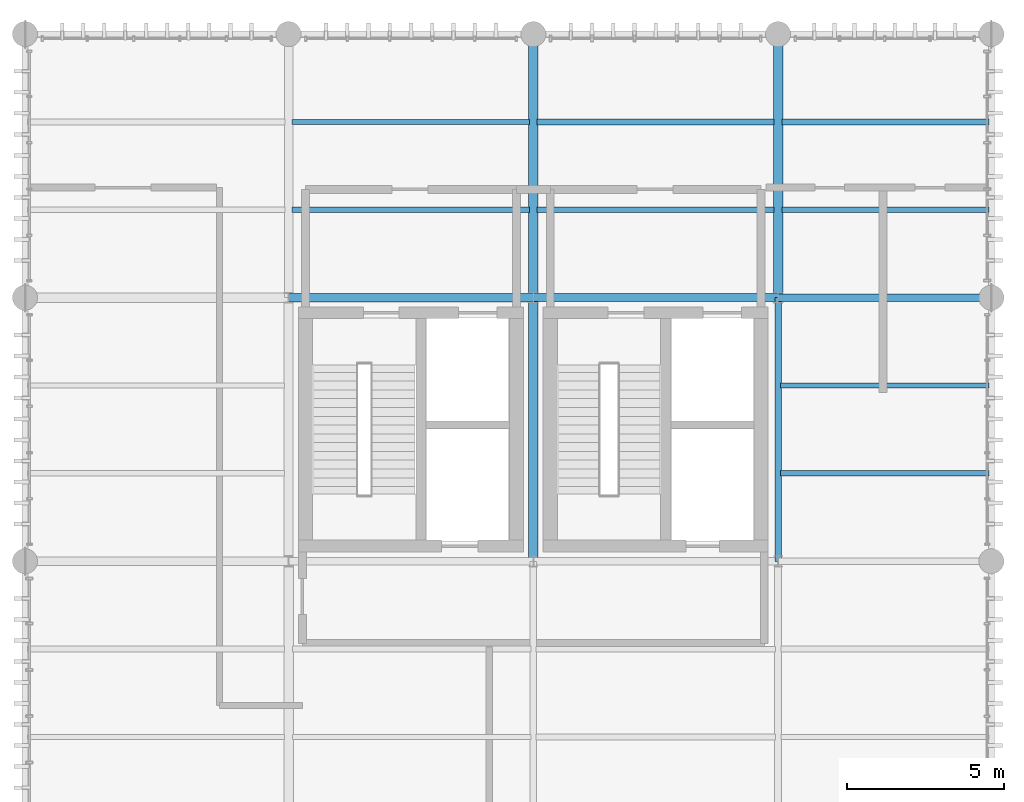
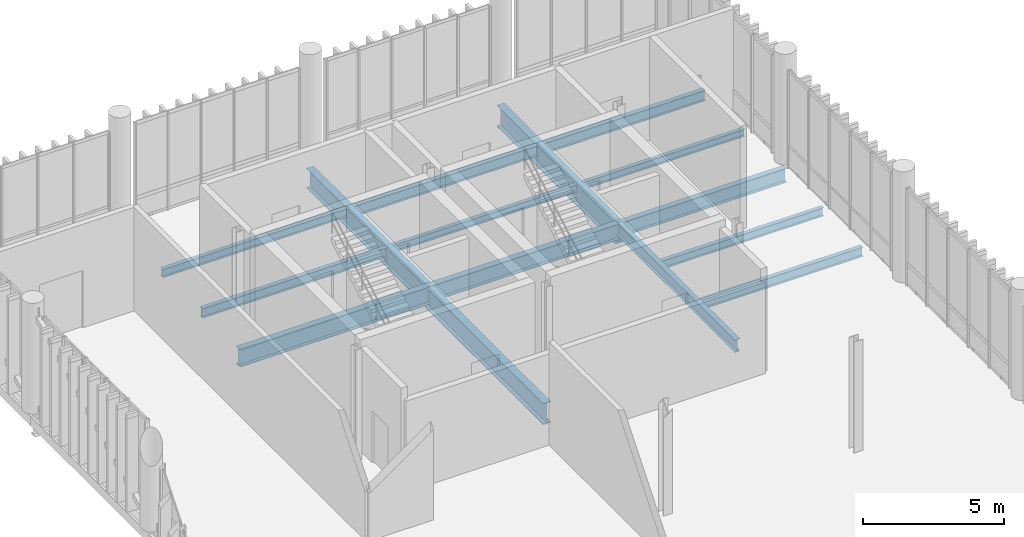
# One storey, part 59 of 94: 15 beams.
"""IFC4 building model written with IfcOpenShell, lengths in metres."""

import ifcopenshell
import ifcopenshell.guid

model = None  # the IFC model being written
_history = None  # IfcOwnerHistory: only IFC2X3 demands one
_inside = {}  # id of a spatial element -> (the spatial element, [elements in it])
_under = {}  # id of a project, library or spatial element -> (it, [spatial elements below it])
_declared = {}  # id of a project -> (the project, [libraries it declares])
_typed = {}  # id of a type object -> (the type object, [elements of that type])
_made_of = {}  # id of a material, layer set ... -> (it, [elements and type objects made of it])


def new_model(schema):
    """Start an empty IFC model of exactly this schema.

    Asked for "IFC4X3", IfcOpenShell would pick the latest addendum, in which some entities
    have other attributes; the version numbers below select the first issue.
    IFC2X3 requires an IfcOwnerHistory on every rooted entity: one is made here for all.
    """
    global model, _history
    if schema == "IFC4X3":
        model = ifcopenshell.file(schema_version=(4, 3, 0, 0))
    else:
        model = ifcopenshell.file(schema=schema)
    _inside.clear()
    _under.clear()
    _declared.clear()
    _typed.clear()
    _made_of.clear()
    _history = None
    if model.schema == "IFC2X3":
        org = make("IfcOrganization", Name="unknown")
        user = make(
            "IfcPersonAndOrganization",
            ThePerson=make("IfcPerson", FamilyName="unknown"),
            TheOrganization=org,
        )
        app = make(
            "IfcApplication",
            ApplicationDeveloper=org,
            Version="unknown",
            ApplicationFullName="unknown",
            ApplicationIdentifier="unknown",
        )
        _history = make(
            "IfcOwnerHistory",
            OwningUser=user,
            OwningApplication=app,
            ChangeAction="ADDED",
            CreationDate=0,
        )
    return model


def make(cls, **values):
    """One entity of the class cls with the attributes given. An attribute that is None is left unset."""
    return model.create_entity(
        cls, **{name: value for name, value in values.items() if value is not None}
    )


def rooted(cls, **values):
    """An entity with a GlobalId (a new one), such as an element, a storey or a relation."""
    return make(cls, GlobalId=ifcopenshell.guid.new(), OwnerHistory=_history, **values)


def si_unit(unit_type, name, prefix=None):
    """IfcSIUnit, for example si_unit("LENGTHUNIT", "METRE", prefix="MILLI")."""
    return make("IfcSIUnit", UnitType=unit_type, Prefix=prefix, Name=name)


def assignment(units):
    """IfcUnitAssignment: the units of a project."""
    return None if units is None else make("IfcUnitAssignment", Units=units)


def point(xyz):
    """IfcCartesianPoint."""
    return None if xyz is None else make("IfcCartesianPoint", Coordinates=xyz)


def direction(xyz):
    """IfcDirection."""
    return None if xyz is None else make("IfcDirection", DirectionRatios=xyz)


def frame(location, z_axis=None, x_axis=None):
    """IfcAxis2Placement3D, a coordinate frame: its origin and axes. An axis left out is left unset."""
    return make(
        "IfcAxis2Placement3D",
        Location=point(location),
        Axis=direction(z_axis),
        RefDirection=direction(x_axis),
    )


def frame_2d(location, x_axis=None):
    """IfcAxis2Placement2D, a coordinate frame in the plane: its origin and x axis."""
    return make(
        "IfcAxis2Placement2D", Location=point(location), RefDirection=direction(x_axis)
    )


def origin_with_axes():
    """The frame at (0, 0, 0) with the z axis (0, 0, 1) and the x axis (1, 0, 0) written out."""
    return frame((0.0, 0.0, 0.0), z_axis=(0.0, 0.0, 1.0), x_axis=(1.0, 0.0, 0.0))


def origin_2d_with_axis():
    """The frame at (0, 0) in the plane with the x axis (1, 0) written out."""
    return frame_2d((0.0, 0.0), x_axis=(1.0, 0.0))


def place(relative_to, where):
    """IfcLocalPlacement: puts the frame where relative to a parent placement (None: the world)."""
    return make(
        "IfcLocalPlacement", PlacementRelTo=relative_to, RelativePlacement=where
    )


def context(
    kind, dimensions, precision=None, world=None, true_north=None, identifier=None
):
    """IfcGeometricRepresentationContext, for example the 3D "Model" context."""
    return make(
        "IfcGeometricRepresentationContext",
        ContextIdentifier=identifier,
        ContextType=kind,
        CoordinateSpaceDimension=dimensions,
        Precision=precision,
        WorldCoordinateSystem=world,
        TrueNorth=true_north,
    )


def subcontext(parent, identifier, kind, view, scale=None):
    """IfcGeometricRepresentationSubContext, for example "Body" below "Model"."""
    return make(
        "IfcGeometricRepresentationSubContext",
        ContextIdentifier=identifier,
        ContextType=kind,
        ParentContext=parent,
        TargetScale=scale,
        TargetView=view,
    )


def project(units=None, contexts=None):
    """IfcProject with its units and contexts."""
    return rooted(
        "IfcProject",
        Name="project",
        RepresentationContexts=contexts,
        UnitsInContext=assignment(units),
    )


def spatial(cls, under=None, at=None, **own):
    """A site, building, storey or space (cls), placed at a placement, below another one or the project."""
    s = rooted(cls, ObjectPlacement=at, **own)
    if under is not None:
        _under.setdefault(under.id(), (under, []))[1].append(s)
    return s


def profile(cls, at=None, kind="AREA", **sizes):
    """A parametric profile (cls). Its sizes go by their IFC names, for example OverallWidth=200.0."""
    return make(cls, ProfileType=kind, Position=at, **sizes)


def i_section(**sizes):
    """IfcIShapeProfileDef."""
    return profile("IfcIShapeProfileDef", **sizes)


def extrude(swept, where, along, depth):
    """IfcExtrudedAreaSolid: the profile swept, set in the frame where, extruded along a direction by depth."""
    return make(
        "IfcExtrudedAreaSolid",
        SweptArea=swept,
        Position=where,
        ExtrudedDirection=direction(along),
        Depth=depth,
    )


def shape(context_of_items, identifier, shape_type, items):
    """IfcShapeRepresentation: the items that make up one representation, for example the "Body"."""
    return make(
        "IfcShapeRepresentation",
        ContextOfItems=context_of_items,
        RepresentationIdentifier=identifier,
        RepresentationType=shape_type,
        Items=items,
    )


def material(Name=None, Category=None):
    """IfcMaterial."""
    return make("IfcMaterial", Name=Name, Category=Category)


def material_profile(
    of_material, cross_section, Name=None, Category=None, Priority=None
):
    """IfcMaterialProfile: a cross section and its material."""
    return make(
        "IfcMaterialProfile",
        Name=Name,
        Material=of_material,
        Profile=cross_section,
        Priority=Priority,
        Category=Category,
    )


def profile_set(profiles, Name=None, composite=None):
    """IfcMaterialProfileSet."""
    return make(
        "IfcMaterialProfileSet",
        Name=Name,
        MaterialProfiles=profiles,
        CompositeProfile=composite,
    )


def made_of(thing, what):
    """Note that an element or type object is made of a material, layer set ...; save() writes the relation."""
    if what is not None:
        _made_of.setdefault(what.id(), (what, []))[1].append(thing)
    return thing


def type_object(cls, material=None, **own):
    """A type object (cls), such as IfcWallType, which elements share."""
    return made_of(rooted(cls, **own), material)


def element(
    cls,
    number,
    at=None,
    inside=None,
    cuts=None,
    type_object=None,
    material=None,
    context=None,
    identifier="Body",
    shape_type=None,
    held_by="IfcProductDefinitionShape",
    body=None,
    shapes=None,
    **own,
):
    """One element of the class cls, such as IfcWall. Its Tag is "e" and its number.

    at: its placement. inside: the storey or other place that contains it. cuts: it is an
    opening in that element (IfcRelVoidsElement). A single representation is given by context,
    identifier, shape_type and body (its items); several are given by shapes. held_by: the class
    of the entity that holds the representations. save() writes the other relations.
    """
    e = rooted(cls, Tag="e%d" % number, ObjectPlacement=at, **own)
    if body is not None:
        shapes = [shape(context, identifier, shape_type, body)]
    if shapes is not None:
        e.Representation = make(held_by, Representations=shapes)
    if inside is not None:
        _inside.setdefault(inside.id(), (inside, []))[1].append(e)
    if cuts is not None:
        rooted(
            "IfcRelVoidsElement", RelatingBuildingElement=cuts, RelatedOpeningElement=e
        )
    if type_object is not None:
        _typed.setdefault(type_object.id(), (type_object, []))[1].append(e)
    return made_of(e, material)


def aggregate(whole, parts):
    """IfcRelAggregates: a whole, such as a stair, and the parts it consists of."""
    return rooted("IfcRelAggregates", RelatingObject=whole, RelatedObjects=parts)


def save(model, path):
    """Write the relations noted so far, then the file.

    IfcRelAggregates (storeys below a building ...), IfcRelContainedInSpatialStructure (elements
    in a storey), IfcRelDefinesByType, IfcRelAssociatesMaterial and IfcRelDeclares: one each for
    every whole, place, type object, material and project.
    """
    for whole, parts in _under.values():
        aggregate(whole, parts)
    for where, things in _inside.values():
        rooted(
            "IfcRelContainedInSpatialStructure",
            RelatedElements=things,
            RelatingStructure=where,
        )
    for kind, things in _typed.values():
        rooted("IfcRelDefinesByType", RelatedObjects=things, RelatingType=kind)
    for what, things in _made_of.values():
        rooted("IfcRelAssociatesMaterial", RelatedObjects=things, RelatingMaterial=what)
    for by, libraries in _declared.values():
        rooted("IfcRelDeclares", RelatingContext=by, RelatedDefinitions=libraries)
    model.write(path)


model = new_model("IFC4")

# Units and contexts
model_context = context("Model", 3, precision=1e-05, world=origin_with_axes(), true_north=direction((0.0, 1.0)))
body_context = subcontext(model_context, "Body", "Model", "MODEL_VIEW")
ifc_project = project(units=[si_unit("LENGTHUNIT", "METRE"), si_unit("AREAUNIT", "SQUARE_METRE"), si_unit("VOLUMEUNIT", "CUBIC_METRE"), si_unit("PLANEANGLEUNIT", "RADIAN"), si_unit("MASSUNIT", "GRAM", prefix="KILO"), si_unit("THERMODYNAMICTEMPERATUREUNIT", "KELVIN")], contexts=[model_context])

# Site, building, storey
site_placement = place(None, origin_with_axes())
site = spatial("IfcSite", under=ifc_project, at=site_placement, CompositionType="ELEMENT")
building_placement = place(site_placement, origin_with_axes())
building = spatial("IfcBuilding", under=site, at=building_placement, Name="Montbau Bow Law Courts", CompositionType="ELEMENT")
storey_placement = place(building_placement, frame((0.0, 0.0, 15.6), z_axis=(0.0, 0.0, 1.0), x_axis=(1.0, 0.0, 0.0)))
storey = spatial("IfcBuildingStorey", under=building, at=storey_placement, Name="L03", CompositionType="ELEMENT", Elevation=15.6)

# Beams
ifc_material = material(Name="Steel CSA G40.21 Grade 350W (350 MPa)", Category="steel")
ifc_material_profile_1 = material_profile(ifc_material, i_section(OverallWidth=0.306, OverallDepth=0.919, WebThickness=0.0173, FlangeThickness=0.0279, at=origin_2d_with_axis()), Name="W920X253", Category="Main", Priority=0)
ifc_profile_set_1 = profile_set([ifc_material_profile_1], Name="Steel CSA G40.21 Grade 350W (350 MPa)")
beam_type_1 = type_object("IfcBeamType", Name="B-FLR-01", PredefinedType="BEAM", material=ifc_profile_set_1)
for number, where, z_axis, x_axis, name in (
    (1, (154.8, 86.4, 14.8), (0.0, 1.0, 0.0), (-1.0, 0.0, 0.0), "BM-L03-S1235:bm2_1238"),
    (2, (162.6, 94.8, 14.8), (0.0, 1.0, 0.0), (-1.0, 0.0, 0.0), "BM-L03-S1240:bm2_1243"),
):
    element("IfcBeam", number, at=place(None, frame(where, z_axis=z_axis, x_axis=x_axis)), inside=storey, type_object=beam_type_1, Name=name, PredefinedType="BEAM", context=body_context, shape_type="SweptSolid", body=[
        extrude(i_section(OverallWidth=0.306, OverallDepth=0.919, WebThickness=0.0173, FlangeThickness=0.0279, at=origin_2d_with_axis()), origin_with_axes(), (0.0, 0.0, 1.0), 8.4),
    ])
ifc_material_profile_2 = material_profile(ifc_material, i_section(OverallWidth=0.293, OverallDepth=0.846, WebThickness=0.0154, FlangeThickness=0.0244, at=origin_2d_with_axis()), Name="W840X210", Category="Main", Priority=0)
ifc_profile_set_2 = profile_set([ifc_material_profile_2], Name="Steel CSA G40.21 Grade 350W (350 MPa)")
beam_type_2 = type_object("IfcBeamType", Name="B-FLR-02", PredefinedType="BEAM", material=ifc_profile_set_2)
beam_1_placement = place(None, frame((154.8, 94.8, 14.837), z_axis=(0.0, 1.0, 0.0), x_axis=(-1.0, 0.0, 0.0)))
element("IfcBeam", 3, at=beam_1_placement, inside=storey, type_object=beam_type_2, Name="BM-L03-S1236:bm2_1239", PredefinedType="BEAM", context=body_context, shape_type="SweptSolid", body=[
    extrude(i_section(OverallWidth=0.293, OverallDepth=0.846, WebThickness=0.0154, FlangeThickness=0.0244, at=origin_2d_with_axis()), origin_with_axes(), (0.0, 0.0, 1.0), 8.4),
])
ifc_material_profile_3 = material_profile(ifc_material, i_section(OverallWidth=0.267, OverallDepth=0.766, WebThickness=0.0149, FlangeThickness=0.0236, at=origin_2d_with_axis()), Name="W760X185", Category="Main", Priority=0)
ifc_profile_set_3 = profile_set([ifc_material_profile_3], Name="Steel CSA G40.21 Grade 350W (350 MPa)")
beam_type_3 = type_object("IfcBeamType", Name="B-FLR-03", PredefinedType="BEAM", material=ifc_profile_set_3)
beam_2_placement = place(None, frame((147.0, 94.8, 14.877), z_axis=(1.0, 0.0, 0.0), x_axis=(0.0, 1.0, 0.0)))
element("IfcBeam", 4, at=beam_2_placement, inside=storey, type_object=beam_type_3, Name="BM-L03-S1218:bm2_1221", PredefinedType="BEAM", context=body_context, shape_type="SweptSolid", body=[
    extrude(i_section(OverallWidth=0.267, OverallDepth=0.766, WebThickness=0.0149, FlangeThickness=0.0236, at=origin_2d_with_axis()), origin_with_axes(), (0.0, 0.0, 1.0), 7.8),
])
ifc_material_profile_4 = material_profile(ifc_material, i_section(OverallWidth=0.254, OverallDepth=0.688, WebThickness=0.0131, FlangeThickness=0.0211, at=origin_2d_with_axis()), Name="W690X152", Category="Main", Priority=0)
ifc_profile_set_4 = profile_set([ifc_material_profile_4], Name="Steel CSA G40.21 Grade 350W (350 MPa)")
beam_type_4 = type_object("IfcBeamType", Name="B-FLR-04", PredefinedType="BEAM", material=ifc_profile_set_4)
beam_3_placement = place(None, frame((154.8, 94.8, 14.916), z_axis=(1.0, 0.0, 0.0), x_axis=(0.0, 1.0, 0.0)))
element("IfcBeam", 5, at=beam_3_placement, inside=storey, type_object=beam_type_4, Name="BM-L03-S1219:bm2_1222", PredefinedType="BEAM", context=body_context, shape_type="SweptSolid", body=[
    extrude(i_section(OverallWidth=0.254, OverallDepth=0.688, WebThickness=0.0131, FlangeThickness=0.0211, at=origin_2d_with_axis()), origin_with_axes(), (0.0, 0.0, 1.0), 7.8),
])
ifc_material_profile_5 = material_profile(ifc_material, i_section(OverallWidth=0.229, OverallDepth=0.612, WebThickness=0.0119, FlangeThickness=0.0196, at=origin_2d_with_axis()), Name="W610X125", Category="Main", Priority=0)
ifc_profile_set_5 = profile_set([ifc_material_profile_5], Name="Steel CSA G40.21 Grade 350W (350 MPa)")
beam_type_5 = type_object("IfcBeamType", Name="B-FLR-05", PredefinedType="BEAM", material=ifc_profile_set_5)
beam_4_placement = place(None, frame((162.6, 94.8, 14.954), z_axis=(1.0, 0.0, 0.0), x_axis=(0.0, 1.0, 0.0)))
element("IfcBeam", 6, at=beam_4_placement, inside=storey, type_object=beam_type_5, Name="BM-L03-S1220:bm2_1223", PredefinedType="BEAM", context=body_context, shape_type="SweptSolid", body=[
    extrude(i_section(OverallWidth=0.229, OverallDepth=0.612, WebThickness=0.0119, FlangeThickness=0.0196, at=origin_2d_with_axis()), origin_with_axes(), (0.0, 0.0, 1.0), 6.8),
])
ifc_material_profile_6 = material_profile(ifc_material, i_section(OverallWidth=0.21, OverallDepth=0.537, WebThickness=0.0109, FlangeThickness=0.0174, at=origin_2d_with_axis()), Name="W530X101", Category="Main", Priority=0)
ifc_profile_set_6 = profile_set([ifc_material_profile_6], Name="Steel CSA G40.21 Grade 350W (350 MPa)")
beam_type_6 = type_object("IfcBeamType", Name="B-FLR-06", PredefinedType="BEAM", material=ifc_profile_set_6)
beam_5_placement = place(None, frame((162.6, 86.4, 14.992), z_axis=(0.0, 1.0, 0.0), x_axis=(-1.0, 0.0, 0.0)))
element("IfcBeam", 7, at=beam_5_placement, inside=storey, type_object=beam_type_6, Name="BM-L03-S1239:bm2_1242", PredefinedType="BEAM", context=body_context, shape_type="SweptSolid", body=[
    extrude(i_section(OverallWidth=0.21, OverallDepth=0.537, WebThickness=0.0109, FlangeThickness=0.0174, at=origin_2d_with_axis()), origin_with_axes(), (0.0, 0.0, 1.0), 8.4),
])
ifc_material_profile_7 = material_profile(ifc_material, i_section(OverallWidth=0.191, OverallDepth=0.46, WebThickness=0.0099, FlangeThickness=0.016, at=origin_2d_with_axis()), Name="W460X82", Category="Main", Priority=0)
ifc_profile_set_7 = profile_set([ifc_material_profile_7], Name="Steel CSA G40.21 Grade 350W (350 MPa)")
beam_type_7 = type_object("IfcBeamType", Name="B-JST-01", PredefinedType="JOIST", material=ifc_profile_set_7)
beam_6_placement = place(None, frame((154.923, 100.4, 15.03), z_axis=(1.0, 0.0, 0.0), x_axis=(0.0, 1.0, 0.0)))
element("IfcBeam", 8, at=beam_6_placement, inside=storey, type_object=beam_type_7, Name="JST-L03-S0656:jst2_0656", PredefinedType="JOIST", context=body_context, shape_type="SweptSolid", body=[
    extrude(i_section(OverallWidth=0.191, OverallDepth=0.46, WebThickness=0.0099, FlangeThickness=0.016, at=origin_2d_with_axis()), origin_with_axes(), (0.0, 0.0, 1.0), 7.548),
])
beam_7_placement = place(None, frame((162.729, 100.4, 15.03), z_axis=(1.0, 0.0, 0.0), x_axis=(0.0, 1.0, 0.0)))
element("IfcBeam", 9, at=beam_7_placement, inside=storey, type_object=beam_type_7, Name="JST-L03-S0664:jst2_0664", PredefinedType="JOIST", context=body_context, shape_type="SweptSolid", body=[
    extrude(i_section(OverallWidth=0.191, OverallDepth=0.46, WebThickness=0.0099, FlangeThickness=0.016, at=origin_2d_with_axis()), origin_with_axes(), (0.0, 0.0, 1.0), 6.591),
])
ifc_material_profile_8 = material_profile(ifc_material, i_section(OverallWidth=0.179, OverallDepth=0.41, WebThickness=0.0088, FlangeThickness=0.0144, at=origin_2d_with_axis()), Name="W410X67", Category="Main", Priority=0)
ifc_profile_set_8 = profile_set([ifc_material_profile_8], Name="Steel CSA G40.21 Grade 350W (350 MPa)")
beam_type_8 = type_object("IfcBeamType", Name="B-JST-02", PredefinedType="JOIST", material=ifc_profile_set_8)
beam_8_placement = place(None, frame((147.109, 97.6, 15.055), z_axis=(1.0, 0.0, 0.0), x_axis=(0.0, 1.0, 0.0)))
element("IfcBeam", 10, at=beam_8_placement, inside=storey, type_object=beam_type_8, Name="JST-L03-S0649:jst2_0649", PredefinedType="JOIST", context=body_context, shape_type="SweptSolid", body=[
    extrude(i_section(OverallWidth=0.179, OverallDepth=0.41, WebThickness=0.0088, FlangeThickness=0.0144, at=origin_2d_with_axis()), origin_with_axes(), (0.0, 0.0, 1.0), 7.569),
])
beam_9_placement = place(None, frame((162.681, 89.2, 15.055), z_axis=(1.0, 0.0, 0.0), x_axis=(0.0, 1.0, 0.0)))
element("IfcBeam", 11, at=beam_9_placement, inside=storey, type_object=beam_type_8, Name="JST-L03-S0661:jst2_0661", PredefinedType="JOIST", context=body_context, shape_type="SweptSolid", body=[
    extrude(i_section(OverallWidth=0.179, OverallDepth=0.41, WebThickness=0.0088, FlangeThickness=0.0144, at=origin_2d_with_axis()), origin_with_axes(), (0.0, 0.0, 1.0), 6.639),
])
ifc_material_profile_9 = material_profile(ifc_material, i_section(OverallWidth=0.172, OverallDepth=0.358, WebThickness=0.0079, FlangeThickness=0.0131, at=origin_2d_with_axis()), Name="W360X57", Category="Main", Priority=0)
ifc_profile_set_9 = profile_set([ifc_material_profile_9], Name="Steel CSA G40.21 Grade 350W (350 MPa)")
beam_type_9 = type_object("IfcBeamType", Name="B-JST-03", PredefinedType="JOIST", material=ifc_profile_set_9)
beam_10_placement = place(None, frame((147.109, 100.4, 15.081), z_axis=(1.0, 0.0, 0.0), x_axis=(0.0, 1.0, 0.0)))
element("IfcBeam", 12, at=beam_10_placement, inside=storey, type_object=beam_type_9, Name="JST-L03-S0650:jst2_0650", PredefinedType="JOIST", context=body_context, shape_type="SweptSolid", body=[
    extrude(i_section(OverallWidth=0.172, OverallDepth=0.358, WebThickness=0.0079, FlangeThickness=0.0131, at=origin_2d_with_axis()), origin_with_axes(), (0.0, 0.0, 1.0), 7.569),
])
beam_11_placement = place(None, frame((162.681, 92.0, 15.081), z_axis=(1.0, 0.0, 0.0), x_axis=(0.0, 1.0, 0.0)))
element("IfcBeam", 13, at=beam_11_placement, inside=storey, type_object=beam_type_9, Name="JST-L03-S0662:jst2_0662", PredefinedType="JOIST", context=body_context, shape_type="SweptSolid", body=[
    extrude(i_section(OverallWidth=0.172, OverallDepth=0.358, WebThickness=0.0079, FlangeThickness=0.0131, at=origin_2d_with_axis()), origin_with_axes(), (0.0, 0.0, 1.0), 6.639),
])
ifc_material_profile_10 = material_profile(ifc_material, i_section(OverallWidth=0.166, OverallDepth=0.313, WebThickness=0.0066, FlangeThickness=0.0112, at=origin_2d_with_axis()), Name="W310X45", Category="Main", Priority=0)
ifc_profile_set_10 = profile_set([ifc_material_profile_10], Name="Steel CSA G40.21 Grade 350W (350 MPa)")
beam_type_10 = type_object("IfcBeamType", Name="B-JST-04", PredefinedType="JOIST", material=ifc_profile_set_10)
beam_12_placement = place(None, frame((154.923, 97.6, 15.104), z_axis=(1.0, 0.0, 0.0), x_axis=(0.0, 1.0, 0.0)))
element("IfcBeam", 14, at=beam_12_placement, inside=storey, type_object=beam_type_10, Name="JST-L03-S0655:jst2_0655", PredefinedType="JOIST", context=body_context, shape_type="SweptSolid", body=[
    extrude(i_section(OverallWidth=0.166, OverallDepth=0.313, WebThickness=0.0066, FlangeThickness=0.0112, at=origin_2d_with_axis()), origin_with_axes(), (0.0, 0.0, 1.0), 7.548),
])
beam_13_placement = place(None, frame((162.729, 97.6, 15.104), z_axis=(1.0, 0.0, 0.0), x_axis=(0.0, 1.0, 0.0)))
element("IfcBeam", 15, at=beam_13_placement, inside=storey, type_object=beam_type_10, Name="JST-L03-S0663:jst2_0663", PredefinedType="JOIST", context=body_context, shape_type="SweptSolid", body=[
    extrude(i_section(OverallWidth=0.166, OverallDepth=0.313, WebThickness=0.0066, FlangeThickness=0.0112, at=origin_2d_with_axis()), origin_with_axes(), (0.0, 0.0, 1.0), 6.591),
])

save(model, "model.ifc")
